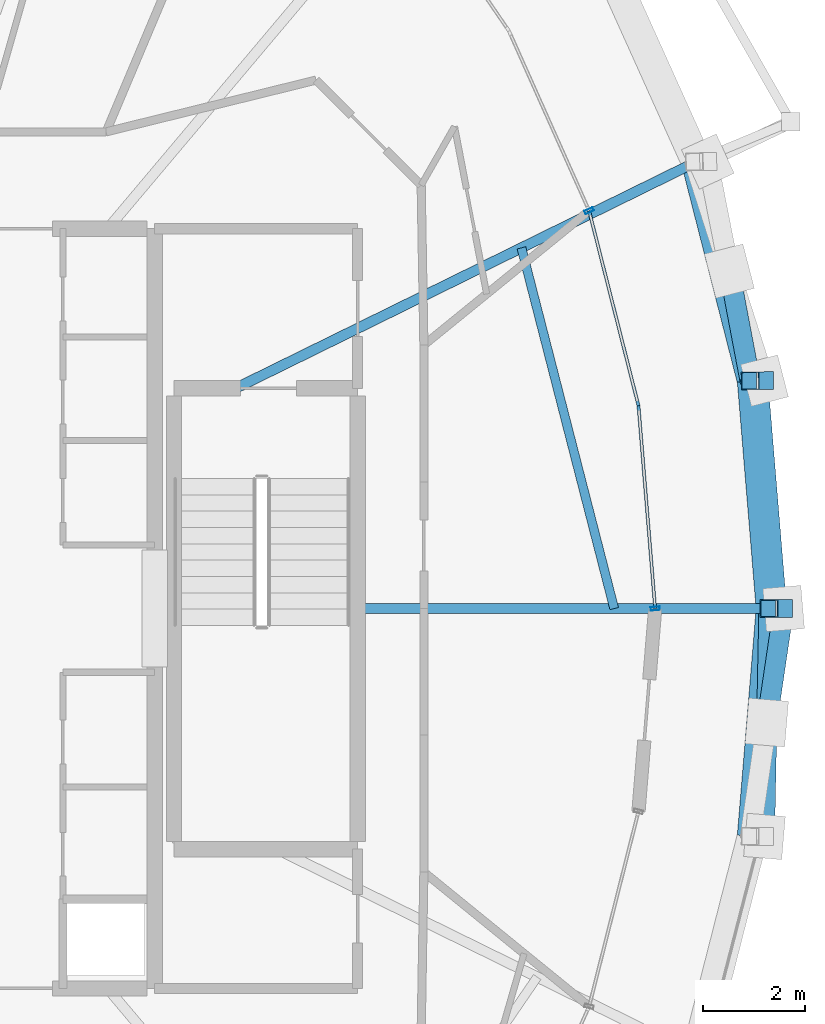
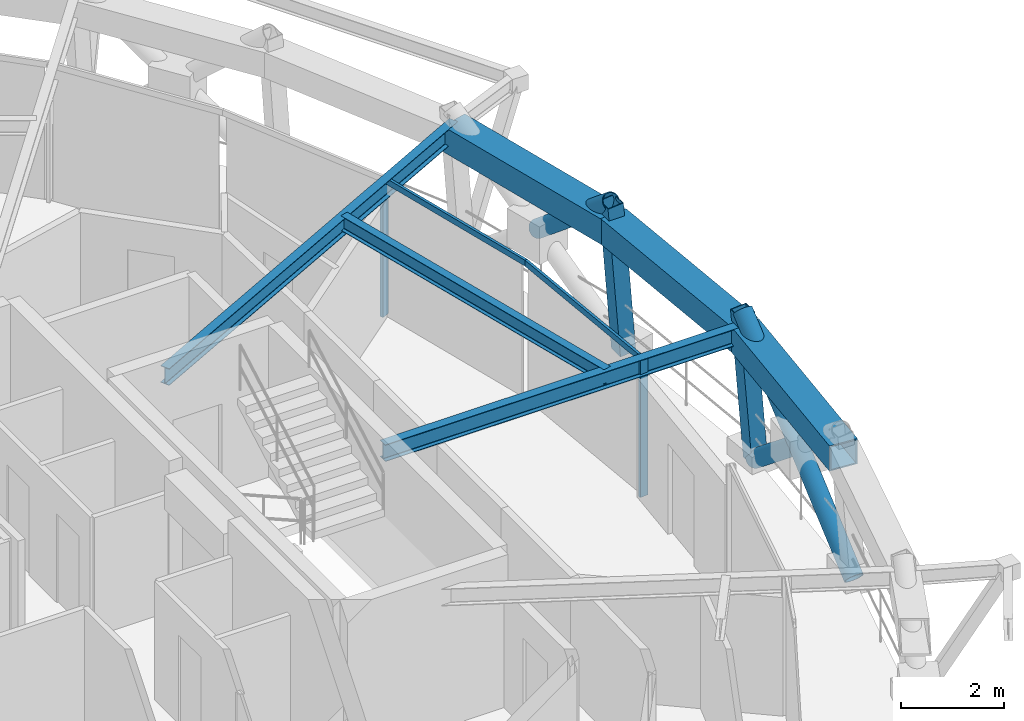
# One storey, part 5 of 14: 9 members, 6 beams, 1 element without a shape of its own.
"""IFC4 building model written with IfcOpenShell, lengths in metres."""

from ifc_helpers import new_model, si_unit, direction, frame, origin, origin_2d, place, context, subcontext, project, spatial, hollow_rectangle, hollow_circle, i_section, extrude, material, layer, layer_set, material_profile, profile_set, type_object, element, aggregate, save


model = new_model("IFC4")

# Units and contexts
model_context = context("Model", 3, precision=1e-05, world=origin(), true_north=direction((0.0, 1.0)))
body_context = subcontext(model_context, "Body", "Model", "MODEL_VIEW")
ifc_project = project(units=[si_unit("LENGTHUNIT", "METRE"), si_unit("AREAUNIT", "SQUARE_METRE"), si_unit("VOLUMEUNIT", "CUBIC_METRE"), si_unit("PLANEANGLEUNIT", "RADIAN"), si_unit("MASSUNIT", "GRAM", prefix="KILO")], contexts=[model_context])

# Site, building, storey
site_placement = place(None, origin())
site = spatial("IfcSite", under=ifc_project, at=site_placement, CompositionType="ELEMENT")
building_placement = place(site_placement, origin())
building = spatial("IfcBuilding", under=site, at=building_placement, Name="Veldorina Hangang Commons", CompositionType="ELEMENT")
storey_placement = place(building_placement, frame((0.0, 0.0, 294.0)))
storey = spatial("IfcBuildingStorey", under=building, at=storey_placement, Name="L77", CompositionType="ELEMENT", Elevation=294.0)

# Beams
ifc_material_1 = material(Name="Steel SM460-TMC", Category="steel")
ifc_material_profile_1 = material_profile(ifc_material_1, hollow_rectangle(XDim=0.60009765625, YDim=0.60009765625, WallThickness=0.030029296875, at=origin_2d()), Name="BOX-600x600x30")
ifc_profile_set_1 = profile_set([ifc_material_profile_1], Name="Steel SM460-TMC")
beam_type_1 = type_object("IfcBeamType", Name="BM-BLT600", PredefinedType="BEAM", material=ifc_profile_set_1)
beam_1_placement = place(storey_placement, frame((51.297607421875, 24.0, 3.0), z_axis=(-0.082662412247, 0.996577606412, 0.0), x_axis=(-0.996577606412, -0.082662412247, 0.0)))
element("IfcBeam", 1, at=beam_1_placement, inside=storey, type_object=beam_type_1, Name="L77 perimeter hoop ring beam 00", PredefinedType="BEAM", context=body_context, shape_type="SweptSolid", body=[
    extrude(hollow_rectangle(XDim=0.60009765625, YDim=0.60009765625, WallThickness=0.030029296875, at=origin_2d()), origin(), (0.0, 0.0, 1.0), 4.4833984375),
])
beam_2_placement = place(storey_placement, frame((50.927001953125, 28.468017578125, 3.0), z_axis=(-0.24768784321, 0.968839889933, 0.0), x_axis=(-0.968839889933, -0.24768784321, 0.0)))
element("IfcBeam", 2, at=beam_2_placement, inside=storey, type_object=beam_type_1, Name="L77 perimeter hoop ring beam 01", PredefinedType="BEAM", context=body_context, shape_type="SweptSolid", body=[
    extrude(hollow_rectangle(XDim=0.60009765625, YDim=0.60009765625, WallThickness=0.030029296875, at=origin_2d()), origin(), (0.0, 0.0, 1.0), 4.4345703125),
])
beam_3_placement = place(storey_placement, frame((50.927001953125, 19.531982421875, 3.0), z_axis=(0.082662412247, 0.996577606412, 0.0), x_axis=(-0.996577606412, 0.082662412247, 0.0)))
element("IfcBeam", 3, at=beam_3_placement, inside=storey, type_object=beam_type_1, Name="L77 perimeter hoop ring beam 31", PredefinedType="BEAM", context=body_context, shape_type="SweptSolid", body=[
    extrude(hollow_rectangle(XDim=0.60009765625, YDim=0.60009765625, WallThickness=0.030029296875, at=origin_2d()), origin(), (0.0, 0.0, 1.0), 4.4833984375),
])
ifc_material_2 = material(Name="Steel SM355-TMC", Category="steel")
ifc_material_profile_2 = material_profile(ifc_material_2, i_section(OverallWidth=0.199951171875, OverallDepth=0.39990234375, WebThickness=0.008056640625, FlangeThickness=0.012939453125, FilletRadius=0.012939453125, at=origin_2d()), Name="H-400x200x8x13")
ifc_profile_set_2 = profile_set([ifc_material_profile_2], Name="Steel SM355-TMC")
beam_type_2 = type_object("IfcBeamType", Name="BM-FG400", PredefinedType="BEAM", material=ifc_profile_set_2)
beam_4_placement = place(storey_placement, frame((43.179931640625, 24.0, 3.10009765625), z_axis=(1.0, 0.0, 0.0), x_axis=(0.0, 1.0, 0.0)))
element("IfcBeam", 4, at=beam_4_placement, inside=storey, type_object=beam_type_2, Name="L77 radial floor girder 01", PredefinedType="BEAM", context=body_context, shape_type="SweptSolid", body=[
    extrude(i_section(OverallWidth=0.199951171875, OverallDepth=0.39990234375, WebThickness=0.008056640625, FlangeThickness=0.012939453125, FilletRadius=0.012939453125, at=origin_2d()), origin(), (0.0, 0.0, 1.0), 8.11767578125),
])
beam_5_placement = place(storey_placement, frame((40.787841796875, 28.320068359375, 3.10009765625), z_axis=(0.897426416291, 0.441164172778, 0.0), x_axis=(-0.441164172778, 0.897426416291, 0.0)))
element("IfcBeam", 5, at=beam_5_placement, inside=storey, type_object=beam_type_2, Name="L77 radial floor girder 02", PredefinedType="BEAM", context=body_context, shape_type="SweptSolid", body=[
    extrude(i_section(OverallWidth=0.199951171875, OverallDepth=0.39990234375, WebThickness=0.008056640625, FlangeThickness=0.012939453125, FilletRadius=0.012939453125, at=origin_2d()), origin(), (0.0, 0.0, 1.0), 10.07421875),
])
ifc_material_profile_3 = material_profile(ifc_material_2, i_section(OverallWidth=0.175048828125, OverallDepth=0.35009765625, WebThickness=0.007080078125, FlangeThickness=0.010986328125, FilletRadius=0.012939453125, at=origin_2d()), Name="H-350x175x7x11")
ifc_profile_set_3 = profile_set([ifc_material_profile_3], Name="Steel SM355-TMC")
beam_type_3 = type_object("IfcBeamType", Name="BM-JST350", PredefinedType="JOIST", material=ifc_profile_set_3)
beam_6_placement = place(storey_placement, frame((48.212890625, 24.0, 3.125), z_axis=(-0.249064324866, 0.968486944713, 0.0), x_axis=(-0.968486944713, -0.249064324866, 0.0)))
element("IfcBeam", 6, at=beam_6_placement, inside=storey, type_object=beam_type_3, Name="L77 secondary floor joist 01", PredefinedType="JOIST", context=body_context, shape_type="SweptSolid", body=[
    extrude(i_section(OverallWidth=0.175048828125, OverallDepth=0.35009765625, WebThickness=0.007080078125, FlangeThickness=0.010986328125, FilletRadius=0.012939453125, at=origin_2d()), origin(), (0.0, 0.0, 1.0), 7.3056640625),
])

# Curtain wall, members
ifc_material_3 = material(Name="Glass Low-E Selective", Category="glass")
ifc_layer = layer(ifc_material_3, 0.179931640625)
ifc_layer_set = layer_set([ifc_layer], Name="Glass Low-E Selective")
curtain_wall_type = type_object("IfcCurtainWallType", Name="CW-SYS-Z3", PredefinedType="NOTDEFINED", material=ifc_layer_set)
curtain_wall_placement = place(storey_placement, origin())
curtain_wall = element("IfcCurtainWall", 7, at=curtain_wall_placement, inside=storey, type_object=curtain_wall_type, Name="L77 unitised curtain wall CW-L77-R1", PredefinedType="NOTDEFINED")
ifc_material_4 = material(Name="Aluminium Anodized AA6063-T6", Category="aluminium")
ifc_material_profile_4 = material_profile(ifc_material_4, hollow_rectangle(XDim=0.070068359375, YDim=0.179931640625, WallThickness=0.00390625, at=origin_2d()), Name="ALU-RHS-180x70x4")
ifc_profile_set_4 = profile_set([ifc_material_profile_4], Name="Aluminium Anodized AA6063-T6")
member_type_1 = type_object("IfcMemberType", Name="CW-MUL-180", PredefinedType="MULLION", material=ifc_profile_set_4)
member_1_placement = place(storey_placement, frame((49.01611328125, 24.0, 0.0), z_axis=(0.0, 0.0, 1.0), x_axis=(-0.081921114014, 0.996638816763, 0.0)))
member_1 = element("IfcMember", 8, at=member_1_placement, type_object=member_type_1, Name="CW-L77-R1 vertical mullion 1", PredefinedType="MULLION", context=body_context, shape_type="SweptSolid", body=[
    extrude(hollow_rectangle(XDim=0.070068359375, YDim=0.179931640625, WallThickness=0.00390625, at=origin_2d()), origin(), (0.0, 0.0, 1.0), 3.260009765625),
])
member_2_placement = place(storey_placement, frame((47.720703125, 31.8037109375, 0.0), z_axis=(0.0, 0.0, 1.0), x_axis=(-0.407326500142, 0.913282608113, 0.0)))
member_2 = element("IfcMember", 9, at=member_2_placement, type_object=member_type_1, Name="CW-L77-R1 vertical mullion 2", PredefinedType="MULLION", context=body_context, shape_type="SweptSolid", body=[
    extrude(hollow_rectangle(XDim=0.070068359375, YDim=0.179931640625, WallThickness=0.00390625, at=origin_2d()), origin(), (0.0, 0.0, 1.0), 3.260009765625),
])
ifc_material_profile_5 = material_profile(ifc_material_4, hollow_rectangle(XDim=0.06005859375, YDim=0.139892578125, WallThickness=0.00341796875, at=origin_2d()), Name="ALU-RHS-140x60x3.5")
ifc_profile_set_5 = profile_set([ifc_material_profile_5], Name="Aluminium Anodized AA6063-T6")
member_type_2 = type_object("IfcMemberType", Name="CW-TRN-140", PredefinedType="USERDEFINED", material=ifc_profile_set_5)
member_3_placement = place(storey_placement, frame((49.01611328125, 24.0, 3.219970703125), z_axis=(-0.081957167383, 0.996635852613, 0.0), x_axis=(-0.996635852613, -0.081957167383, 0.0)))
member_3 = element("IfcMember", 10, at=member_3_placement, type_object=member_type_2, Name="CW-L77-R1 facet 1 transom 1", ObjectType="TRANSOM", PredefinedType="USERDEFINED", context=body_context, shape_type="SweptSolid", body=[
    extrude(hollow_rectangle(XDim=0.06005859375, YDim=0.139892578125, WallThickness=0.00341796875, at=origin_2d()), origin(), (0.0, 0.0, 1.0), 3.99169921875),
])
member_4_placement = place(storey_placement, frame((48.68896484375, 27.978271484375, 3.219970703125), z_axis=(-0.245373291739, 0.969428670765, 0.0), x_axis=(-0.969428670765, -0.245373291739, 0.0)))
member_4 = element("IfcMember", 11, at=member_4_placement, type_object=member_type_2, Name="CW-L77-R1 facet 2 transom 1", ObjectType="TRANSOM", PredefinedType="USERDEFINED", context=body_context, shape_type="SweptSolid", body=[
    extrude(hollow_rectangle(XDim=0.06005859375, YDim=0.139892578125, WallThickness=0.00341796875, at=origin_2d()), origin(), (0.0, 0.0, 1.0), 3.946044921875),
])
aggregate(curtain_wall, [member_1, member_2, member_3, member_4])

# Members
ifc_material_profile_6 = material_profile(ifc_material_2, hollow_circle(Radius=0.199951171875, WallThickness=0.02001953125, at=origin_2d()), Name="CHS-400x20")
ifc_profile_set_6 = profile_set([ifc_material_profile_6], Name="Steel SM355-TMC")
member_type_3 = type_object("IfcMemberType", Name="DG-CHS400", PredefinedType="BRACE", material=ifc_profile_set_6)
member_5_placement = place(storey_placement, frame((50.47216796875, 30.6181640625, 1.80126953125), z_axis=(0.143988525803, -0.759063389467, 0.634893751117), x_axis=(0.982479834992, 0.186368918637, 0.0)))
element("IfcMember", 12, at=member_5_placement, inside=storey, type_object=member_type_3, Name="L77 split perimeter diagrid upper brace 02", PredefinedType="BRACE", context=body_context, shape_type="SweptSolid", body=[
    extrude(hollow_circle(Radius=0.199951171875, WallThickness=0.02001953125, at=origin_2d()), origin(), (0.0, 0.0, 1.0), 2.833251953125),
])
member_6_placement = place(storey_placement, frame((51.16064453125, 19.530029296875, 0.0), z_axis=(0.015566747188, 0.778720148259, 0.627178289706), x_axis=(-0.999800256438, 0.019986175862, 0.0)))
element("IfcMember", 13, at=member_6_placement, inside=storey, type_object=member_type_3, Name="L77 continuous perimeter diagrid brace 31", PredefinedType="BRACE", context=body_context, shape_type="SweptSolid", body=[
    extrude(hollow_circle(Radius=0.199951171875, WallThickness=0.02001953125, at=origin_2d()), origin(), (0.0, 0.0, 1.0), 5.740234375),
])
member_7_placement = place(storey_placement, frame((51.535888671875, 24.0, 0.0), z_axis=(-0.1144408161, -0.773532015472, 0.623339009408), x_axis=(0.989232460201, -0.146352791861, 0.0)))
element("IfcMember", 14, at=member_7_placement, inside=storey, type_object=member_type_3, Name="L77 split perimeter diagrid lower brace 00", PredefinedType="BRACE", context=body_context, shape_type="SweptSolid", body=[
    extrude(hollow_circle(Radius=0.199951171875, WallThickness=0.02001953125, at=origin_2d()), origin(), (0.0, 0.0, 1.0), 2.888427734375),
])
ifc_material_profile_7 = material_profile(ifc_material_2, hollow_rectangle(XDim=0.35009765625, YDim=0.35009765625, WallThickness=0.01611328125, at=origin_2d()), Name="SHS-350x350x16")
ifc_profile_set_7 = profile_set([ifc_material_profile_7], Name="Steel SM355-TMC")
member_type_4 = type_object("IfcMemberType", Name="STR-SHS350", PredefinedType="STRUT", material=ifc_profile_set_7)
member_8_placement = place(storey_placement, frame((51.535888671875, 24.0, 0.0), z_axis=(-0.07916215327, 0.0, 0.996861752446), x_axis=(0.0, -1.0, 0.0)))
element("IfcMember", 15, at=member_8_placement, inside=storey, type_object=member_type_4, Name="L77 perimeter ring node post 00", PredefinedType="STRUT", context=body_context, shape_type="SweptSolid", body=[
    extrude(hollow_rectangle(XDim=0.35009765625, YDim=0.35009765625, WallThickness=0.01611328125, at=origin_2d()), origin(), (0.0, 0.0, 1.0), 3.611328125),
])
member_9_placement = place(storey_placement, frame((51.16064453125, 28.469970703125, 0.0), z_axis=(-0.077683948184, -0.000676100506, 0.996977806715), x_axis=(0.008702890593, -0.999962129131, 0.0)))
element("IfcMember", 16, at=member_9_placement, inside=storey, type_object=member_type_4, Name="L77 perimeter ring node post 01", PredefinedType="STRUT", context=body_context, shape_type="SweptSolid", body=[
    extrude(hollow_rectangle(XDim=0.35009765625, YDim=0.35009765625, WallThickness=0.01611328125, at=origin_2d()), origin(), (0.0, 0.0, 1.0), 3.611083984375),
])

save(model, "model.ifc")
